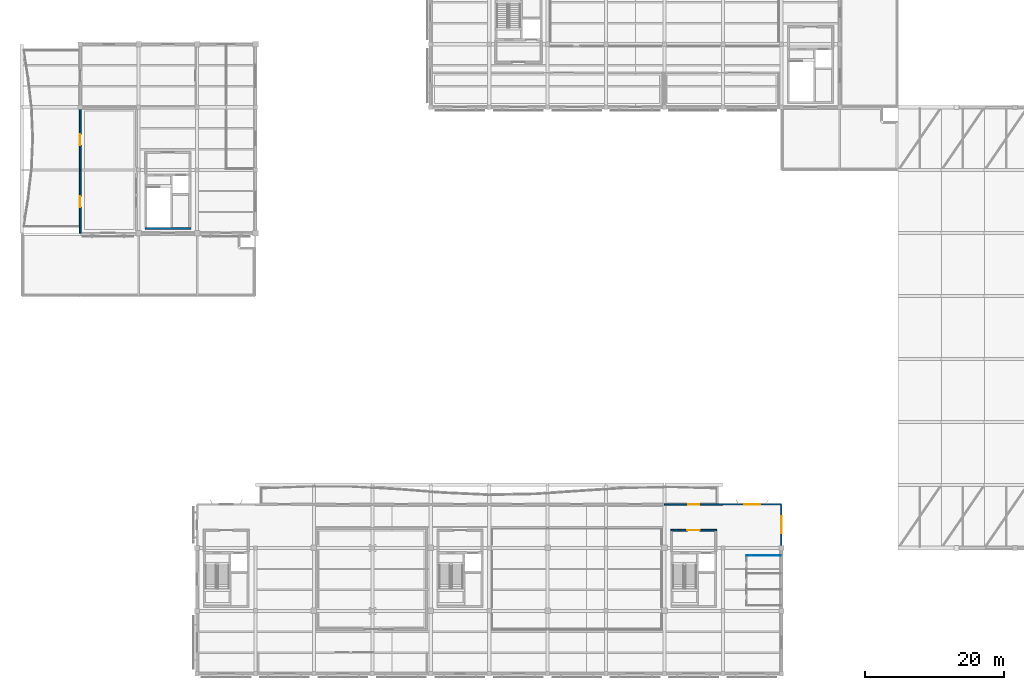
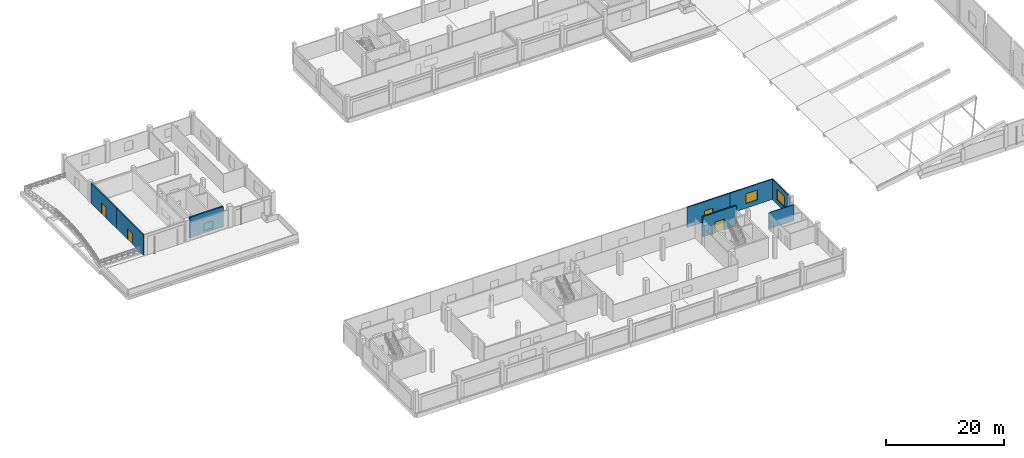
# One storey, part 16 of 34: 8 walls, 4 doors, 2 windows, 6 openings.
"""IFC4 building model written with IfcOpenShell, lengths in metres."""

import ifcopenshell
import ifcopenshell.guid

model = None  # the IFC model being written
_history = None  # IfcOwnerHistory: only IFC2X3 demands one
_inside = {}  # id of a spatial element -> (the spatial element, [elements in it])
_under = {}  # id of a project, library or spatial element -> (it, [spatial elements below it])
_declared = {}  # id of a project -> (the project, [libraries it declares])
_typed = {}  # id of a type object -> (the type object, [elements of that type])
_made_of = {}  # id of a material, layer set ... -> (it, [elements and type objects made of it])


def new_model(schema):
    """Start an empty IFC model of exactly this schema.

    Asked for "IFC4X3", IfcOpenShell would pick the latest addendum, in which some entities
    have other attributes; the version numbers below select the first issue.
    IFC2X3 requires an IfcOwnerHistory on every rooted entity: one is made here for all.
    """
    global model, _history
    if schema == "IFC4X3":
        model = ifcopenshell.file(schema_version=(4, 3, 0, 0))
    else:
        model = ifcopenshell.file(schema=schema)
    _inside.clear()
    _under.clear()
    _declared.clear()
    _typed.clear()
    _made_of.clear()
    _history = None
    if model.schema == "IFC2X3":
        org = make("IfcOrganization", Name="unknown")
        user = make(
            "IfcPersonAndOrganization",
            ThePerson=make("IfcPerson", FamilyName="unknown"),
            TheOrganization=org,
        )
        app = make(
            "IfcApplication",
            ApplicationDeveloper=org,
            Version="unknown",
            ApplicationFullName="unknown",
            ApplicationIdentifier="unknown",
        )
        _history = make(
            "IfcOwnerHistory",
            OwningUser=user,
            OwningApplication=app,
            ChangeAction="ADDED",
            CreationDate=0,
        )
    return model


def make(cls, **values):
    """One entity of the class cls with the attributes given. An attribute that is None is left unset."""
    return model.create_entity(
        cls, **{name: value for name, value in values.items() if value is not None}
    )


def rooted(cls, **values):
    """An entity with a GlobalId (a new one), such as an element, a storey or a relation."""
    return make(cls, GlobalId=ifcopenshell.guid.new(), OwnerHistory=_history, **values)


def si_unit(unit_type, name, prefix=None):
    """IfcSIUnit, for example si_unit("LENGTHUNIT", "METRE", prefix="MILLI")."""
    return make("IfcSIUnit", UnitType=unit_type, Prefix=prefix, Name=name)


def assignment(units):
    """IfcUnitAssignment: the units of a project."""
    return None if units is None else make("IfcUnitAssignment", Units=units)


def point(xyz):
    """IfcCartesianPoint."""
    return None if xyz is None else make("IfcCartesianPoint", Coordinates=xyz)


def direction(xyz):
    """IfcDirection."""
    return None if xyz is None else make("IfcDirection", DirectionRatios=xyz)


def frame(location, z_axis=None, x_axis=None):
    """IfcAxis2Placement3D, a coordinate frame: its origin and axes. An axis left out is left unset."""
    return make(
        "IfcAxis2Placement3D",
        Location=point(location),
        Axis=direction(z_axis),
        RefDirection=direction(x_axis),
    )


def frame_2d(location, x_axis=None):
    """IfcAxis2Placement2D, a coordinate frame in the plane: its origin and x axis."""
    return make(
        "IfcAxis2Placement2D", Location=point(location), RefDirection=direction(x_axis)
    )


def origin():
    """The frame at (0, 0, 0) with its axes left unset."""
    return frame((0.0, 0.0, 0.0))


def place(relative_to, where):
    """IfcLocalPlacement: puts the frame where relative to a parent placement (None: the world)."""
    return make(
        "IfcLocalPlacement", PlacementRelTo=relative_to, RelativePlacement=where
    )


def context(
    kind, dimensions, precision=None, world=None, true_north=None, identifier=None
):
    """IfcGeometricRepresentationContext, for example the 3D "Model" context."""
    return make(
        "IfcGeometricRepresentationContext",
        ContextIdentifier=identifier,
        ContextType=kind,
        CoordinateSpaceDimension=dimensions,
        Precision=precision,
        WorldCoordinateSystem=world,
        TrueNorth=true_north,
    )


def subcontext(parent, identifier, kind, view, scale=None):
    """IfcGeometricRepresentationSubContext, for example "Body" below "Model"."""
    return make(
        "IfcGeometricRepresentationSubContext",
        ContextIdentifier=identifier,
        ContextType=kind,
        ParentContext=parent,
        TargetScale=scale,
        TargetView=view,
    )


def project(units=None, contexts=None):
    """IfcProject with its units and contexts."""
    return rooted(
        "IfcProject",
        Name="project",
        RepresentationContexts=contexts,
        UnitsInContext=assignment(units),
    )


def spatial(cls, under=None, at=None, **own):
    """A site, building, storey or space (cls), placed at a placement, below another one or the project."""
    s = rooted(cls, ObjectPlacement=at, **own)
    if under is not None:
        _under.setdefault(under.id(), (under, []))[1].append(s)
    return s


def profile(cls, at=None, kind="AREA", **sizes):
    """A parametric profile (cls). Its sizes go by their IFC names, for example OverallWidth=200.0."""
    return make(cls, ProfileType=kind, Position=at, **sizes)


def rectangle(**sizes):
    """IfcRectangleProfileDef."""
    return profile("IfcRectangleProfileDef", **sizes)


def extrude(swept, where, along, depth):
    """IfcExtrudedAreaSolid: the profile swept, set in the frame where, extruded along a direction by depth."""
    return make(
        "IfcExtrudedAreaSolid",
        SweptArea=swept,
        Position=where,
        ExtrudedDirection=direction(along),
        Depth=depth,
    )


def shape(context_of_items, identifier, shape_type, items):
    """IfcShapeRepresentation: the items that make up one representation, for example the "Body"."""
    return make(
        "IfcShapeRepresentation",
        ContextOfItems=context_of_items,
        RepresentationIdentifier=identifier,
        RepresentationType=shape_type,
        Items=items,
    )


def material(Name=None, Category=None):
    """IfcMaterial."""
    return make("IfcMaterial", Name=Name, Category=Category)


def layer(
    of_material, thickness, ventilated=None, Name=None, Category=None, Priority=None
):
    """IfcMaterialLayer: one layer of a wall or slab, of a material (None: an air gap)."""
    return make(
        "IfcMaterialLayer",
        Material=of_material,
        LayerThickness=thickness,
        IsVentilated=ventilated,
        Name=Name,
        Category=Category,
        Priority=Priority,
    )


def layer_set(layers, Name=None):
    """IfcMaterialLayerSet."""
    return make("IfcMaterialLayerSet", MaterialLayers=layers, LayerSetName=Name)


def made_of(thing, what):
    """Note that an element or type object is made of a material, layer set ...; save() writes the relation."""
    if what is not None:
        _made_of.setdefault(what.id(), (what, []))[1].append(thing)
    return thing


def type_object(cls, material=None, **own):
    """A type object (cls), such as IfcWallType, which elements share."""
    return made_of(rooted(cls, **own), material)


def element(
    cls,
    number,
    at=None,
    inside=None,
    cuts=None,
    type_object=None,
    material=None,
    context=None,
    identifier="Body",
    shape_type=None,
    held_by="IfcProductDefinitionShape",
    body=None,
    shapes=None,
    **own,
):
    """One element of the class cls, such as IfcWall. Its Tag is "e" and its number.

    at: its placement. inside: the storey or other place that contains it. cuts: it is an
    opening in that element (IfcRelVoidsElement). A single representation is given by context,
    identifier, shape_type and body (its items); several are given by shapes. held_by: the class
    of the entity that holds the representations. save() writes the other relations.
    """
    e = rooted(cls, Tag="e%d" % number, ObjectPlacement=at, **own)
    if body is not None:
        shapes = [shape(context, identifier, shape_type, body)]
    if shapes is not None:
        e.Representation = make(held_by, Representations=shapes)
    if inside is not None:
        _inside.setdefault(inside.id(), (inside, []))[1].append(e)
    if cuts is not None:
        rooted(
            "IfcRelVoidsElement", RelatingBuildingElement=cuts, RelatedOpeningElement=e
        )
    if type_object is not None:
        _typed.setdefault(type_object.id(), (type_object, []))[1].append(e)
    return made_of(e, material)


def fill(opening, filler):
    """IfcRelFillsElement: the door or window that sits in an opening."""
    return rooted(
        "IfcRelFillsElement",
        RelatingOpeningElement=opening,
        RelatedBuildingElement=filler,
    )


def aggregate(whole, parts):
    """IfcRelAggregates: a whole, such as a stair, and the parts it consists of."""
    return rooted("IfcRelAggregates", RelatingObject=whole, RelatedObjects=parts)


def save(model, path):
    """Write the relations noted so far, then the file.

    IfcRelAggregates (storeys below a building ...), IfcRelContainedInSpatialStructure (elements
    in a storey), IfcRelDefinesByType, IfcRelAssociatesMaterial and IfcRelDeclares: one each for
    every whole, place, type object, material and project.
    """
    for whole, parts in _under.values():
        aggregate(whole, parts)
    for where, things in _inside.values():
        rooted(
            "IfcRelContainedInSpatialStructure",
            RelatedElements=things,
            RelatingStructure=where,
        )
    for kind, things in _typed.values():
        rooted("IfcRelDefinesByType", RelatedObjects=things, RelatingType=kind)
    for what, things in _made_of.values():
        rooted("IfcRelAssociatesMaterial", RelatedObjects=things, RelatingMaterial=what)
    for by, libraries in _declared.values():
        rooted("IfcRelDeclares", RelatingContext=by, RelatedDefinitions=libraries)
    model.write(path)


model = new_model("IFC4")

# Units and contexts
model_context = context("Model", 3, precision=1e-05, world=origin(), true_north=direction((0.0, 1.0)))
body_context = subcontext(model_context, "Body", "Model", "MODEL_VIEW")
ifc_project = project(units=[si_unit("LENGTHUNIT", "METRE"), si_unit("AREAUNIT", "SQUARE_METRE"), si_unit("VOLUMEUNIT", "CUBIC_METRE"), si_unit("PLANEANGLEUNIT", "RADIAN"), si_unit("MASSUNIT", "GRAM", prefix="KILO")], contexts=[model_context])

# Site, building, storey
site_placement = place(None, origin())
site = spatial("IfcSite", under=ifc_project, at=site_placement, CompositionType="ELEMENT")
building_placement = place(site_placement, origin())
building = spatial("IfcBuilding", under=site, at=building_placement, Name="Khurvash Pelagic Aquarium", CompositionType="ELEMENT")
storey_placement = place(building_placement, frame((0.0, 0.0, 15.60009765625)))
storey = spatial("IfcBuildingStorey", under=building, at=storey_placement, Name="L03", CompositionType="ELEMENT", Elevation=15.60009765625)

# Wall, opening, window
ifc_material_1 = material(Name="Glass-fibre reinforced concrete C40/50", Category="concrete")
ifc_layer_1 = layer(ifc_material_1, 0.239990234375)
ifc_layer_set_1 = layer_set([ifc_layer_1], Name="Glass-fibre reinforced concrete C40/50")
wall_type_1 = type_object("IfcWallType", Name="EW-240", PredefinedType="STANDARD", material=ifc_layer_set_1)
wall_1_placement = place(storey_placement, frame((109.199951171875, 21.054931640625, 0.0), z_axis=(0.0, 0.0, 1.0), x_axis=(0.0, 1.0, 0.0)))
wall_1 = element("IfcWall", 1, at=wall_1_placement, inside=storey, type_object=wall_type_1, Name="L03 Exterior Architectural Facade Wall EW-240 0119", PredefinedType="STANDARD", context=body_context, shape_type="SweptSolid", body=[
    extrude(rectangle(XDim=5.89501953125, YDim=0.239990234375, at=frame_2d((2.947509765625, 0.0))), origin(), (0.0, 0.0, 1.0), 4.199951171875),
])
opening_1_placement = place(wall_1_placement, frame((1.717041015625, 0.0, 0.949951171875)))
opening_1 = element("IfcOpeningElement", 2, at=opening_1_placement, cuts=wall_1, Name="Opening WN-38", PredefinedType="OPENING", context=body_context, shape_type="SweptSolid", body=[
    extrude(rectangle(XDim=2.4599609375, YDim=2.139892578125, at=frame_2d((1.22998046875, 1.06982421875))), frame((0.0, 0.1298828125, 0.0), z_axis=(0.0, -1.0, 0.0), x_axis=(1.0, 0.0, 0.0)), (0.0, 0.0, 1.0), 0.260009765625),
])
ifc_material_2 = material(Name="Thermally broken aluminium and low-E glass", Category="aluminium")
window_type_1 = type_object("IfcWindowType", Name="WN-38", PartitioningType="SINGLE_PANEL", PredefinedType="WINDOW", material=ifc_material_2)
window_1_placement = place(opening_1_placement, origin())
window_1 = element("IfcWindow", 3, at=window_1_placement, inside=storey, type_object=window_type_1, Name="L03 Facade Window WN-38 0078", OverallHeight=2.139892578125, OverallWidth=2.4599609375, PartitioningType="SINGLE_PANEL", PredefinedType="WINDOW", context=body_context, shape_type="SweptSolid", body=[
    extrude(rectangle(XDim=2.4599609375, YDim=2.139892578125, at=frame_2d((1.22998046875, 1.06982421875))), frame((0.0, 0.030029296875, 0.0), z_axis=(0.0, -1.0, 0.0), x_axis=(1.0, 0.0, 0.0)), (0.0, 0.0, 1.0), 0.06005859375),
])
fill(opening_1, window_1)

wall_2_placement = place(storey_placement, frame((109.199951171875, 26.949951171875, 0.0), z_axis=(0.0, 0.0, 1.0), x_axis=(-1.0, 0.0, 0.0)))
wall_2 = element("IfcWall", 4, at=wall_2_placement, inside=storey, type_object=wall_type_1, Name="L03 Exterior Architectural Facade Wall EW-240 0120", PredefinedType="STANDARD", context=body_context, shape_type="SweptSolid", body=[
    extrude(rectangle(XDim=8.39990234375, YDim=0.239990234375, at=frame_2d((4.199951171875, 0.0))), origin(), (0.0, 0.0, 1.0), 4.199951171875),
])
opening_2_placement = place(wall_2_placement, frame((3.070068359375, 0.0, 0.949951171875)))
opening_2 = element("IfcOpeningElement", 5, at=opening_2_placement, cuts=wall_2, Name="Opening WN-37", PredefinedType="OPENING", context=body_context, shape_type="SweptSolid", body=[
    extrude(rectangle(XDim=2.260009765625, YDim=2.02001953125, at=frame_2d((1.1298828125, 1.010009765625))), frame((0.0, 0.1298828125, 0.0), z_axis=(0.0, -1.0, 0.0), x_axis=(1.0, 0.0, 0.0)), (0.0, 0.0, 1.0), 0.260009765625),
])
window_type_2 = type_object("IfcWindowType", Name="WN-37", PartitioningType="SINGLE_PANEL", PredefinedType="WINDOW", material=ifc_material_2)
window_2_placement = place(opening_2_placement, origin())
window_2 = element("IfcWindow", 6, at=window_2_placement, inside=storey, type_object=window_type_2, Name="L03 Facade Window WN-37 0079", OverallHeight=2.02001953125, OverallWidth=2.260009765625, PartitioningType="SINGLE_PANEL", PredefinedType="WINDOW", context=body_context, shape_type="SweptSolid", body=[
    extrude(rectangle(XDim=2.260009765625, YDim=2.02001953125, at=frame_2d((1.1298828125, 1.010009765625))), frame((0.0, 0.030029296875, 0.0), z_axis=(0.0, -1.0, 0.0), x_axis=(1.0, 0.0, 0.0)), (0.0, 0.0, 1.0), 0.06005859375),
])
fill(opening_2, window_2)

# Wall, opening, door
wall_3_placement = place(storey_placement, frame((100.800048828125, 26.949951171875, 0.0), z_axis=(0.0, 0.0, 1.0), x_axis=(-1.0, 0.0, 0.0)))
wall_3 = element("IfcWall", 7, at=wall_3_placement, inside=storey, type_object=wall_type_1, Name="L03 Exterior Architectural Facade Wall EW-240 0121", PredefinedType="STANDARD", context=body_context, shape_type="SweptSolid", body=[
    extrude(rectangle(XDim=8.400146484375, YDim=0.239990234375, at=frame_2d((4.2001953125, 0.0))), origin(), (0.0, 0.0, 1.0), 4.199951171875),
])
opening_3_placement = place(wall_3_placement, frame((3.39990234375, 0.0, 0.0)))
opening_3 = element("IfcOpeningElement", 8, at=opening_3_placement, cuts=wall_3, Name="Opening ED-03", PredefinedType="OPENING", context=body_context, shape_type="SweptSolid", body=[
    extrude(rectangle(XDim=1.60009765625, YDim=2.25, at=frame_2d((0.800048828125, 1.125))), frame((0.0, 0.1298828125, 0.0), z_axis=(0.0, -1.0, 0.0), x_axis=(1.0, 0.0, 0.0)), (0.0, 0.0, 1.0), 0.260009765625),
])
ifc_material_3 = material(Name="Thermally broken glazed aluminium", Category="aluminium")
door_type_1 = type_object("IfcDoorType", Name="ED-03", OperationType="DOUBLE_DOOR_SINGLE_SWING", PredefinedType="DOOR", material=ifc_material_3)
door_1_placement = place(opening_3_placement, frame((1.60009765625, 0.0, 0.0), z_axis=(0.0, 0.0, 1.0), x_axis=(-1.0, 0.0, 0.0)))
door_1 = element("IfcDoor", 9, at=door_1_placement, inside=storey, type_object=door_type_1, Name="DR-0184", OperationType="DOUBLE_DOOR_SINGLE_SWING", OverallHeight=2.25, OverallWidth=1.60009765625, PredefinedType="DOOR", context=body_context, shape_type="SweptSolid", body=[
    extrude(rectangle(XDim=1.60009765625, YDim=2.25, at=frame_2d((0.800048828125, 1.125))), frame((0.0, 0.02490234375, 0.0), z_axis=(0.0, -1.0, 0.0), x_axis=(1.0, 0.0, 0.0)), (0.0, 0.0, 1.0), 0.050048828125),
])
fill(opening_3, door_1)

wall_4_placement = place(storey_placement, frame((8.39990234375, 83.7451171875, 0.0), z_axis=(0.0, 0.0, 1.0), x_axis=(0.0, -1.0, 0.0)))
wall_4 = element("IfcWall", 10, at=wall_4_placement, inside=storey, type_object=wall_type_1, Name="L03 Exterior Architectural Facade Wall EW-240 0134", PredefinedType="STANDARD", context=body_context, shape_type="SweptSolid", body=[
    extrude(rectangle(XDim=8.7451171875, YDim=0.239990234375, at=frame_2d((4.37255859375, 0.0))), origin(), (0.0, 0.0, 1.0), 4.199951171875),
])
opening_4_placement = place(wall_4_placement, frame((3.572021484375, 0.0, 0.0)))
opening_4 = element("IfcOpeningElement", 11, at=opening_4_placement, cuts=wall_4, Name="Opening ED-03", PredefinedType="OPENING", context=body_context, shape_type="SweptSolid", body=[
    extrude(rectangle(XDim=1.60009765625, YDim=2.25, at=frame_2d((0.800048828125, 1.125))), frame((0.0, 0.1298828125, 0.0), z_axis=(0.0, -1.0, 0.0), x_axis=(1.0, 0.0, 0.0)), (0.0, 0.0, 1.0), 0.260009765625),
])
door_2_placement = place(opening_4_placement, frame((1.60009765625, 0.0, 0.0), z_axis=(0.0, 0.0, 1.0), x_axis=(-1.0, 0.0, 0.0)))
door_2 = element("IfcDoor", 12, at=door_2_placement, inside=storey, type_object=door_type_1, Name="DR-0193", OperationType="DOUBLE_DOOR_SINGLE_SWING", OverallHeight=2.25, OverallWidth=1.60009765625, PredefinedType="DOOR", context=body_context, shape_type="SweptSolid", body=[
    extrude(rectangle(XDim=1.60009765625, YDim=2.25, at=frame_2d((0.800048828125, 1.125))), frame((0.0, 0.02490234375, 0.0), z_axis=(0.0, -1.0, 0.0), x_axis=(1.0, 0.0, 0.0)), (0.0, 0.0, 1.0), 0.050048828125),
])
fill(opening_4, door_2)

wall_5_placement = place(storey_placement, frame((8.39990234375, 75.0, 0.0), z_axis=(0.0, 0.0, 1.0), x_axis=(0.0, -1.0, 0.0)))
wall_5 = element("IfcWall", 13, at=wall_5_placement, inside=storey, type_object=wall_type_1, Name="L03 Exterior Architectural Facade Wall EW-240 0135", PredefinedType="STANDARD", context=body_context, shape_type="SweptSolid", body=[
    extrude(rectangle(XDim=9.050048828125, YDim=0.239990234375, at=frame_2d((4.52490234375, 0.0))), origin(), (0.0, 0.0, 1.0), 4.199951171875),
])
opening_5_placement = place(wall_5_placement, frame((3.72509765625, 0.0, 0.0)))
opening_5 = element("IfcOpeningElement", 14, at=opening_5_placement, cuts=wall_5, Name="Opening ED-03", PredefinedType="OPENING", context=body_context, shape_type="SweptSolid", body=[
    extrude(rectangle(XDim=1.60009765625, YDim=2.25, at=frame_2d((0.800048828125, 1.125))), frame((0.0, 0.1298828125, 0.0), z_axis=(0.0, -1.0, 0.0), x_axis=(1.0, 0.0, 0.0)), (0.0, 0.0, 1.0), 0.260009765625),
])
door_3_placement = place(opening_5_placement, frame((1.60009765625, 0.0, 0.0), z_axis=(0.0, 0.0, 1.0), x_axis=(-1.0, 0.0, 0.0)))
door_3 = element("IfcDoor", 15, at=door_3_placement, inside=storey, type_object=door_type_1, Name="DR-0194", OperationType="DOUBLE_DOOR_SINGLE_SWING", OverallHeight=2.25, OverallWidth=1.60009765625, PredefinedType="DOOR", context=body_context, shape_type="SweptSolid", body=[
    extrude(rectangle(XDim=1.60009765625, YDim=2.25, at=frame_2d((0.800048828125, 1.125))), frame((0.0, 0.02490234375, 0.0), z_axis=(0.0, -1.0, 0.0), x_axis=(1.0, 0.0, 0.0)), (0.0, 0.0, 1.0), 0.050048828125),
])
fill(opening_5, door_3)

# Wall
ifc_material_4 = material(Name="Ceramic-tiled wet-room partition", Category="masonry")
ifc_layer_2 = layer(ifc_material_4, 0.110107421875)
ifc_layer_set_2 = layer_set([ifc_layer_2], Name="Ceramic-tiled wet-room partition")
wall_type_2 = type_object("IfcWallType", Name="PW-110", PredefinedType="PARTITIONING", material=ifc_layer_set_2)
wall_6_placement = place(storey_placement, frame((104.2548828125, 19.60009765625, 0.0), z_axis=(0.0, 0.0, 1.0), x_axis=(1.0, 0.0, 0.0)))
element("IfcWall", 16, at=wall_6_placement, inside=storey, type_object=wall_type_2, Name="L03 Restroom Divider Partition PW-110", PredefinedType="PARTITIONING", context=body_context, shape_type="SweptSolid", body=[
    extrude(rectangle(XDim=4.8251953125, YDim=0.110107421875, at=frame_2d((2.41259765625, 0.0))), origin(), (0.0, 0.0, 1.0), 3.349853515625),
])

# Wall, opening, door
ifc_material_5 = material(Name="AAC blockwork", Category="masonry")
ifc_layer_3 = layer(ifc_material_5, 0.25)
ifc_layer_set_3 = layer_set([ifc_layer_3], Name="AAC blockwork")
wall_type_3 = type_object("IfcWallType", Name="PW-250", PredefinedType="PARTITIONING", material=ifc_layer_set_3)
wall_7_placement = place(storey_placement, frame((93.300048828125, 23.22509765625, 0.0), z_axis=(0.0, 0.0, 1.0), x_axis=(1.0, 0.0, 0.0)))
wall_7 = element("IfcWall", 17, at=wall_7_placement, inside=storey, type_object=wall_type_3, Name="L03 Core C3 Lobby Front Fire Wall PW-250", PredefinedType="PARTITIONING", context=body_context, shape_type="SweptSolid", body=[
    extrude(rectangle(XDim=6.599853515625, YDim=0.25, at=frame_2d((3.2998046875, 0.0))), origin(), (0.0, 0.0, 1.0), 4.199951171875),
])
opening_6_placement = place(wall_7_placement, frame((2.39990234375, 0.0, 0.0)))
opening_6 = element("IfcOpeningElement", 18, at=opening_6_placement, cuts=wall_7, Name="Opening FD-02", PredefinedType="OPENING", context=body_context, shape_type="SweptSolid", body=[
    extrude(rectangle(XDim=1.800048828125, YDim=2.25, at=frame_2d((0.89990234375, 1.125))), frame((0.0, 0.135009765625, 0.0), z_axis=(0.0, -1.0, 0.0), x_axis=(1.0, 0.0, 0.0)), (0.0, 0.0, 1.0), 0.27001953125),
])
ifc_material_6 = material(Name="Galvanised steel double fire door", Category="steel")
door_type_2 = type_object("IfcDoorType", Name="FD-02", OperationType="DOUBLE_DOOR_SINGLE_SWING", PredefinedType="DOOR", material=ifc_material_6)
door_4_placement = place(opening_6_placement, origin())
door_4 = element("IfcDoor", 19, at=door_4_placement, inside=storey, type_object=door_type_2, Name="DR-0209", OperationType="DOUBLE_DOOR_SINGLE_SWING", OverallHeight=2.25, OverallWidth=1.800048828125, PredefinedType="DOOR", context=body_context, shape_type="SweptSolid", body=[
    extrude(rectangle(XDim=1.800048828125, YDim=2.25, at=frame_2d((0.89990234375, 1.125))), frame((0.0, 0.02490234375, 0.0), z_axis=(0.0, -1.0, 0.0), x_axis=(1.0, 0.0, 0.0)), (0.0, 0.0, 1.0), 0.050048828125),
])
fill(opening_6, door_4)

# Wall
ifc_material_7 = material(Name="Concrete C40/50", Category="concrete")
ifc_layer_4 = layer(ifc_material_7, 0.300048828125)
ifc_layer_set_4 = layer_set([ifc_layer_4], Name="Concrete C40/50")
wall_type_4 = type_object("IfcWallType", Name="SW-300", PredefinedType="SHEAR", material=ifc_layer_set_4)
wall_8_placement = place(storey_placement, frame((17.699951171875, 66.60009765625, 0.0), z_axis=(0.0, 0.0, 1.0), x_axis=(1.0, 0.0, 0.0)))
element("IfcWall", 20, at=wall_8_placement, inside=storey, type_object=wall_type_4, Name="L03 Core C5 South Shear Wall SW-300", PredefinedType="SHEAR", context=body_context, shape_type="SweptSolid", body=[
    extrude(rectangle(XDim=6.60009765625, YDim=0.300048828125, at=frame_2d((3.300048828125, 0.0))), origin(), (0.0, 0.0, 1.0), 4.199951171875),
])

save(model, "model.ifc")
